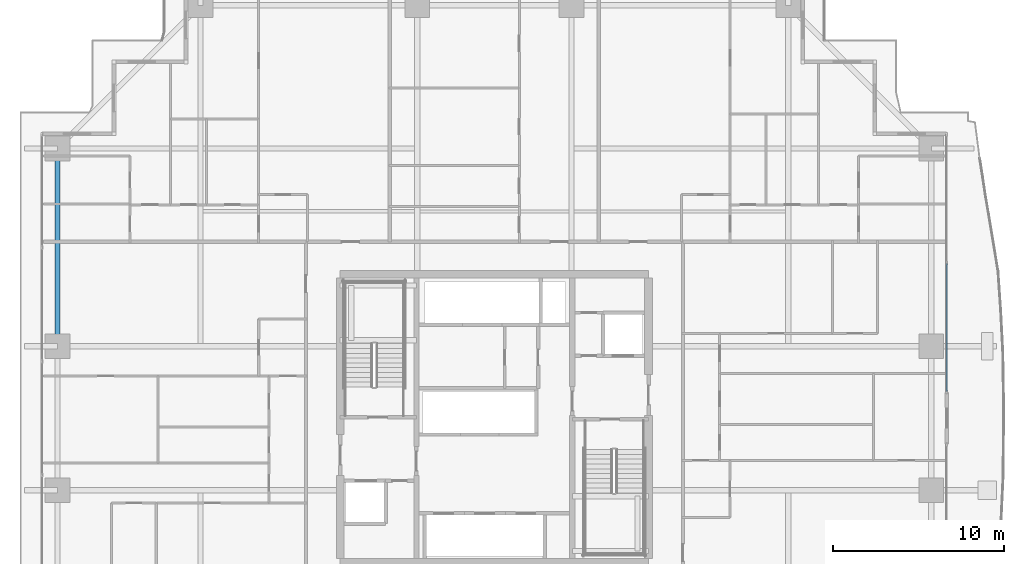
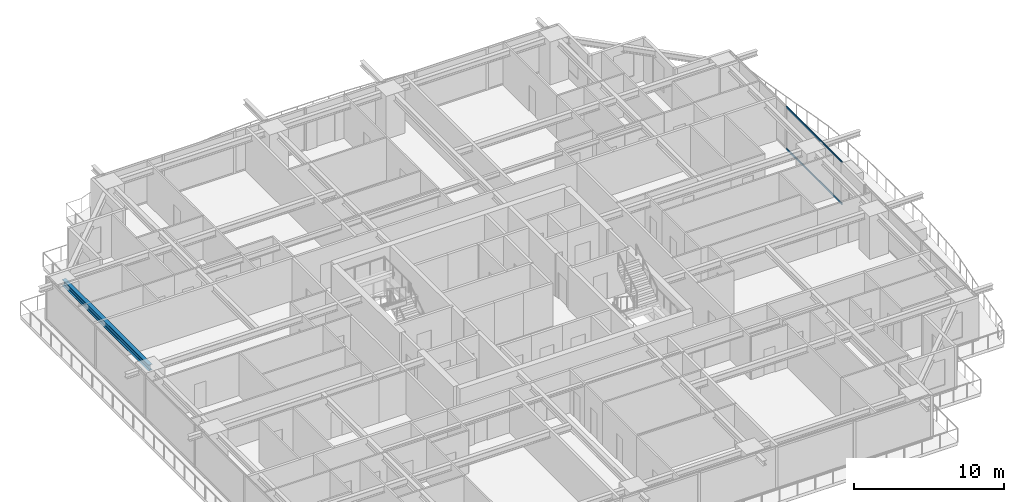
# One storey, part 15 of 37: 2 members, 1 beam, 1 element without a shape of its own.
"""IFC4 building model written with IfcOpenShell, lengths in metres."""

import ifcopenshell
import ifcopenshell.guid

model = None  # the IFC model being written
_history = None  # IfcOwnerHistory: only IFC2X3 demands one
_inside = {}  # id of a spatial element -> (the spatial element, [elements in it])
_under = {}  # id of a project, library or spatial element -> (it, [spatial elements below it])
_declared = {}  # id of a project -> (the project, [libraries it declares])
_typed = {}  # id of a type object -> (the type object, [elements of that type])
_made_of = {}  # id of a material, layer set ... -> (it, [elements and type objects made of it])


def new_model(schema):
    """Start an empty IFC model of exactly this schema.

    Asked for "IFC4X3", IfcOpenShell would pick the latest addendum, in which some entities
    have other attributes; the version numbers below select the first issue.
    IFC2X3 requires an IfcOwnerHistory on every rooted entity: one is made here for all.
    """
    global model, _history
    if schema == "IFC4X3":
        model = ifcopenshell.file(schema_version=(4, 3, 0, 0))
    else:
        model = ifcopenshell.file(schema=schema)
    _inside.clear()
    _under.clear()
    _declared.clear()
    _typed.clear()
    _made_of.clear()
    _history = None
    if model.schema == "IFC2X3":
        org = make("IfcOrganization", Name="unknown")
        user = make(
            "IfcPersonAndOrganization",
            ThePerson=make("IfcPerson", FamilyName="unknown"),
            TheOrganization=org,
        )
        app = make(
            "IfcApplication",
            ApplicationDeveloper=org,
            Version="unknown",
            ApplicationFullName="unknown",
            ApplicationIdentifier="unknown",
        )
        _history = make(
            "IfcOwnerHistory",
            OwningUser=user,
            OwningApplication=app,
            ChangeAction="ADDED",
            CreationDate=0,
        )
    return model


def make(cls, **values):
    """One entity of the class cls with the attributes given. An attribute that is None is left unset."""
    return model.create_entity(
        cls, **{name: value for name, value in values.items() if value is not None}
    )


def rooted(cls, **values):
    """An entity with a GlobalId (a new one), such as an element, a storey or a relation."""
    return make(cls, GlobalId=ifcopenshell.guid.new(), OwnerHistory=_history, **values)


def si_unit(unit_type, name, prefix=None):
    """IfcSIUnit, for example si_unit("LENGTHUNIT", "METRE", prefix="MILLI")."""
    return make("IfcSIUnit", UnitType=unit_type, Prefix=prefix, Name=name)


def assignment(units):
    """IfcUnitAssignment: the units of a project."""
    return None if units is None else make("IfcUnitAssignment", Units=units)


def point(xyz):
    """IfcCartesianPoint."""
    return None if xyz is None else make("IfcCartesianPoint", Coordinates=xyz)


def direction(xyz):
    """IfcDirection."""
    return None if xyz is None else make("IfcDirection", DirectionRatios=xyz)


def frame(location, z_axis=None, x_axis=None):
    """IfcAxis2Placement3D, a coordinate frame: its origin and axes. An axis left out is left unset."""
    return make(
        "IfcAxis2Placement3D",
        Location=point(location),
        Axis=direction(z_axis),
        RefDirection=direction(x_axis),
    )


def frame_2d(location, x_axis=None):
    """IfcAxis2Placement2D, a coordinate frame in the plane: its origin and x axis."""
    return make(
        "IfcAxis2Placement2D", Location=point(location), RefDirection=direction(x_axis)
    )


def origin():
    """The frame at (0, 0, 0) with its axes left unset."""
    return frame((0.0, 0.0, 0.0))


def origin_2d():
    """The frame at (0, 0) in the plane with its x axis left unset."""
    return frame_2d((0.0, 0.0))


def place(relative_to, where):
    """IfcLocalPlacement: puts the frame where relative to a parent placement (None: the world)."""
    return make(
        "IfcLocalPlacement", PlacementRelTo=relative_to, RelativePlacement=where
    )


def context(
    kind, dimensions, precision=None, world=None, true_north=None, identifier=None
):
    """IfcGeometricRepresentationContext, for example the 3D "Model" context."""
    return make(
        "IfcGeometricRepresentationContext",
        ContextIdentifier=identifier,
        ContextType=kind,
        CoordinateSpaceDimension=dimensions,
        Precision=precision,
        WorldCoordinateSystem=world,
        TrueNorth=true_north,
    )


def subcontext(parent, identifier, kind, view, scale=None):
    """IfcGeometricRepresentationSubContext, for example "Body" below "Model"."""
    return make(
        "IfcGeometricRepresentationSubContext",
        ContextIdentifier=identifier,
        ContextType=kind,
        ParentContext=parent,
        TargetScale=scale,
        TargetView=view,
    )


def project(units=None, contexts=None):
    """IfcProject with its units and contexts."""
    return rooted(
        "IfcProject",
        Name="project",
        RepresentationContexts=contexts,
        UnitsInContext=assignment(units),
    )


def spatial(cls, under=None, at=None, **own):
    """A site, building, storey or space (cls), placed at a placement, below another one or the project."""
    s = rooted(cls, ObjectPlacement=at, **own)
    if under is not None:
        _under.setdefault(under.id(), (under, []))[1].append(s)
    return s


def profile(cls, at=None, kind="AREA", **sizes):
    """A parametric profile (cls). Its sizes go by their IFC names, for example OverallWidth=200.0."""
    return make(cls, ProfileType=kind, Position=at, **sizes)


def hollow_rectangle(**sizes):
    """IfcRectangleHollowProfileDef."""
    return profile("IfcRectangleHollowProfileDef", **sizes)


def i_section(**sizes):
    """IfcIShapeProfileDef."""
    return profile("IfcIShapeProfileDef", **sizes)


def extrude(swept, where, along, depth):
    """IfcExtrudedAreaSolid: the profile swept, set in the frame where, extruded along a direction by depth."""
    return make(
        "IfcExtrudedAreaSolid",
        SweptArea=swept,
        Position=where,
        ExtrudedDirection=direction(along),
        Depth=depth,
    )


def shape(context_of_items, identifier, shape_type, items):
    """IfcShapeRepresentation: the items that make up one representation, for example the "Body"."""
    return make(
        "IfcShapeRepresentation",
        ContextOfItems=context_of_items,
        RepresentationIdentifier=identifier,
        RepresentationType=shape_type,
        Items=items,
    )


def source(mapping_origin, context_of_items, identifier, shape_type, items):
    """IfcRepresentationMap: a shape defined once, which mapped items show again and again."""
    return make(
        "IfcRepresentationMap",
        MappingOrigin=mapping_origin,
        MappedRepresentation=shape(context_of_items, identifier, shape_type, items),
    )


def transform(
    local_origin,
    x_axis=None,
    y_axis=None,
    z_axis=None,
    scale=None,
    scale2=None,
    scale3=None,
    uniform=True,
):
    """IfcCartesianTransformationOperator3D, or its non-uniform kind. x_axis, y_axis, z_axis: its Axis1, 2, 3."""
    if uniform:
        return make(
            "IfcCartesianTransformationOperator3D",
            Axis1=direction(x_axis),
            Axis2=direction(y_axis),
            LocalOrigin=point(local_origin),
            Scale=scale,
            Axis3=direction(z_axis),
        )
    return make(
        "IfcCartesianTransformationOperator3DnonUniform",
        Axis1=direction(x_axis),
        Axis2=direction(y_axis),
        LocalOrigin=point(local_origin),
        Scale=scale,
        Axis3=direction(z_axis),
        Scale2=scale2,
        Scale3=scale3,
    )


def mapped(mapping_source, mapping_target):
    """IfcMappedItem: shows the shape of a source again, moved by a transform."""
    return make(
        "IfcMappedItem", MappingSource=mapping_source, MappingTarget=mapping_target
    )


def material(Name=None, Category=None):
    """IfcMaterial."""
    return make("IfcMaterial", Name=Name, Category=Category)


def layer(
    of_material, thickness, ventilated=None, Name=None, Category=None, Priority=None
):
    """IfcMaterialLayer: one layer of a wall or slab, of a material (None: an air gap)."""
    return make(
        "IfcMaterialLayer",
        Material=of_material,
        LayerThickness=thickness,
        IsVentilated=ventilated,
        Name=Name,
        Category=Category,
        Priority=Priority,
    )


def layer_set(layers, Name=None):
    """IfcMaterialLayerSet."""
    return make("IfcMaterialLayerSet", MaterialLayers=layers, LayerSetName=Name)


def material_profile(
    of_material, cross_section, Name=None, Category=None, Priority=None
):
    """IfcMaterialProfile: a cross section and its material."""
    return make(
        "IfcMaterialProfile",
        Name=Name,
        Material=of_material,
        Profile=cross_section,
        Priority=Priority,
        Category=Category,
    )


def profile_set(profiles, Name=None, composite=None):
    """IfcMaterialProfileSet."""
    return make(
        "IfcMaterialProfileSet",
        Name=Name,
        MaterialProfiles=profiles,
        CompositeProfile=composite,
    )


def made_of(thing, what):
    """Note that an element or type object is made of a material, layer set ...; save() writes the relation."""
    if what is not None:
        _made_of.setdefault(what.id(), (what, []))[1].append(thing)
    return thing


def type_object(cls, material=None, **own):
    """A type object (cls), such as IfcWallType, which elements share."""
    return made_of(rooted(cls, **own), material)


def element(
    cls,
    number,
    at=None,
    inside=None,
    cuts=None,
    type_object=None,
    material=None,
    context=None,
    identifier="Body",
    shape_type=None,
    held_by="IfcProductDefinitionShape",
    body=None,
    shapes=None,
    **own,
):
    """One element of the class cls, such as IfcWall. Its Tag is "e" and its number.

    at: its placement. inside: the storey or other place that contains it. cuts: it is an
    opening in that element (IfcRelVoidsElement). A single representation is given by context,
    identifier, shape_type and body (its items); several are given by shapes. held_by: the class
    of the entity that holds the representations. save() writes the other relations.
    """
    e = rooted(cls, Tag="e%d" % number, ObjectPlacement=at, **own)
    if body is not None:
        shapes = [shape(context, identifier, shape_type, body)]
    if shapes is not None:
        e.Representation = make(held_by, Representations=shapes)
    if inside is not None:
        _inside.setdefault(inside.id(), (inside, []))[1].append(e)
    if cuts is not None:
        rooted(
            "IfcRelVoidsElement", RelatingBuildingElement=cuts, RelatedOpeningElement=e
        )
    if type_object is not None:
        _typed.setdefault(type_object.id(), (type_object, []))[1].append(e)
    return made_of(e, material)


def aggregate(whole, parts):
    """IfcRelAggregates: a whole, such as a stair, and the parts it consists of."""
    return rooted("IfcRelAggregates", RelatingObject=whole, RelatedObjects=parts)


def save(model, path):
    """Write the relations noted so far, then the file.

    IfcRelAggregates (storeys below a building ...), IfcRelContainedInSpatialStructure (elements
    in a storey), IfcRelDefinesByType, IfcRelAssociatesMaterial and IfcRelDeclares: one each for
    every whole, place, type object, material and project.
    """
    for whole, parts in _under.values():
        aggregate(whole, parts)
    for where, things in _inside.values():
        rooted(
            "IfcRelContainedInSpatialStructure",
            RelatedElements=things,
            RelatingStructure=where,
        )
    for kind, things in _typed.values():
        rooted("IfcRelDefinesByType", RelatedObjects=things, RelatingType=kind)
    for what, things in _made_of.values():
        rooted("IfcRelAssociatesMaterial", RelatedObjects=things, RelatingMaterial=what)
    for by, libraries in _declared.values():
        rooted("IfcRelDeclares", RelatingContext=by, RelatedDefinitions=libraries)
    model.write(path)


model = new_model("IFC4")

# Units and contexts
model_context = context("Model", 3, precision=1e-05, world=origin(), true_north=direction((0.0, 1.0)))
body_context = subcontext(model_context, "Body", "Model", "MODEL_VIEW")
ifc_project = project(units=[si_unit("LENGTHUNIT", "METRE"), si_unit("AREAUNIT", "SQUARE_METRE"), si_unit("VOLUMEUNIT", "CUBIC_METRE"), si_unit("PLANEANGLEUNIT", "RADIAN"), si_unit("MASSUNIT", "GRAM", prefix="KILO")], contexts=[model_context])

# Site, building, storey
site_placement = place(None, origin())
site = spatial("IfcSite", under=ifc_project, at=site_placement, CompositionType="ELEMENT")
building_placement = place(site_placement, origin())
building = spatial("IfcBuilding", under=site, at=building_placement, Name="Serunith Strait Residences", CompositionType="ELEMENT")
storey_placement = place(building_placement, frame((0.0, 0.0, 26.699951171875)))
storey = spatial("IfcBuildingStorey", under=building, at=storey_placement, Name="L05", CompositionType="ELEMENT", Elevation=26.699951171875)

# Beam
ifc_material_1 = material(Name="Steel S355J2", Category="steel")
ifc_material_profile_1 = material_profile(ifc_material_1, i_section(OverallWidth=0.300048828125, OverallDepth=0.5, WebThickness=0.014404296875, FlangeThickness=0.028076171875, FilletRadius=0.027099609375, at=origin_2d()), Name="HEB 500")
ifc_profile_set_1 = profile_set([ifc_material_profile_1], Name="Steel S355J2")
beam_type = type_object("IfcBeamType", Name="BM-HEB500", PredefinedType="BEAM", material=ifc_profile_set_1)
shared_shape_1 = source(origin(), body_context, "Body", "SweptSolid", [
    extrude(i_section(OverallWidth=0.300048828125, OverallDepth=0.5, WebThickness=0.014404296875, FlangeThickness=0.028076171875, FilletRadius=0.027099609375, at=origin_2d()), origin(), (0.0, 0.0, 1.0), 11.550048828125),
])
beam_placement = place(storey_placement, frame((6.89990234375, 40.949951171875, 3.237060546875), z_axis=(0.0, -1.0, 0.0), x_axis=(1.0, 0.0, 0.0)))
element("IfcBeam", 1, at=beam_placement, inside=storey, type_object=beam_type, Name="L05 Perimeter Ring Beam 13", PredefinedType="BEAM", context=body_context, shape_type="MappedRepresentation", body=[
    mapped(shared_shape_1, transform((0.0, 0.0, 0.0), scale=1.0)),
])

# Curtain wall, members
ifc_material_2 = material(Name="Pale-Champagne Anodised Aluminium", Category="aluminium")
ifc_layer = layer(ifc_material_2, 0.199951171875, Name="Pale-Champagne Anodised Aluminium")
ifc_layer_set = layer_set([ifc_layer], Name="Pale-Champagne Anodised Aluminium")
curtain_wall_type = type_object("IfcCurtainWallType", Name="CW-SYS1", PredefinedType="NOTDEFINED", material=ifc_layer_set)
curtain_wall_placement = place(storey_placement, origin())
curtain_wall = element("IfcCurtainWall", 2, at=curtain_wall_placement, inside=storey, type_object=curtain_wall_type, Name="L05 E Unitised Fritted Curtain Wall", PredefinedType="NOTDEFINED")
ifc_material_profile_2 = material_profile(ifc_material_2, hollow_rectangle(XDim=0.06005859375, YDim=0.159912109375, WallThickness=0.00341796875, InnerFilletRadius=0.00537109375, OuterFilletRadius=0.0087890625, at=origin_2d()), Name="ALU 160x60x3.5")
ifc_profile_set_2 = profile_set([ifc_material_profile_2], Name="Pale-Champagne Anodised Aluminium")
member_type = type_object("IfcMemberType", Name="CW-SYS1-TRAN", PredefinedType="USERDEFINED", material=ifc_profile_set_2)
shared_shape_2 = source(origin(), body_context, "Body", "SweptSolid", [
    extrude(hollow_rectangle(XDim=0.06005859375, YDim=0.159912109375, WallThickness=0.00341796875, InnerFilletRadius=0.00537109375, OuterFilletRadius=0.0087890625, at=origin_2d()), origin(), (0.0, 0.0, 1.0), 7.445068359375),
])
member_1_placement = place(storey_placement, frame((58.800048828125, 26.77001953125, 0.030029296875), z_axis=(0.0, 1.0, 0.0), x_axis=(-1.0, 0.0, 0.0)))
member_1 = element("IfcMember", 3, at=member_1_placement, type_object=member_type, Name="CW-1 transom 1.1", ObjectType="TRANSOM", PredefinedType="USERDEFINED", context=body_context, shape_type="MappedRepresentation", body=[
    mapped(shared_shape_2, transform((0.0, 0.0, 0.0), scale=1.0)),
])
member_2_placement = place(storey_placement, frame((58.800048828125, 26.77001953125, 3.445068359375), z_axis=(0.0, 1.0, 0.0), x_axis=(-1.0, 0.0, 0.0)))
member_2 = element("IfcMember", 4, at=member_2_placement, type_object=member_type, Name="CW-1 transom 1.2", ObjectType="TRANSOM", PredefinedType="USERDEFINED", context=body_context, shape_type="MappedRepresentation", body=[
    mapped(shared_shape_2, transform((0.0, 0.0, 0.0), scale=1.0)),
])
aggregate(curtain_wall, [member_1, member_2])

save(model, "model.ifc")
